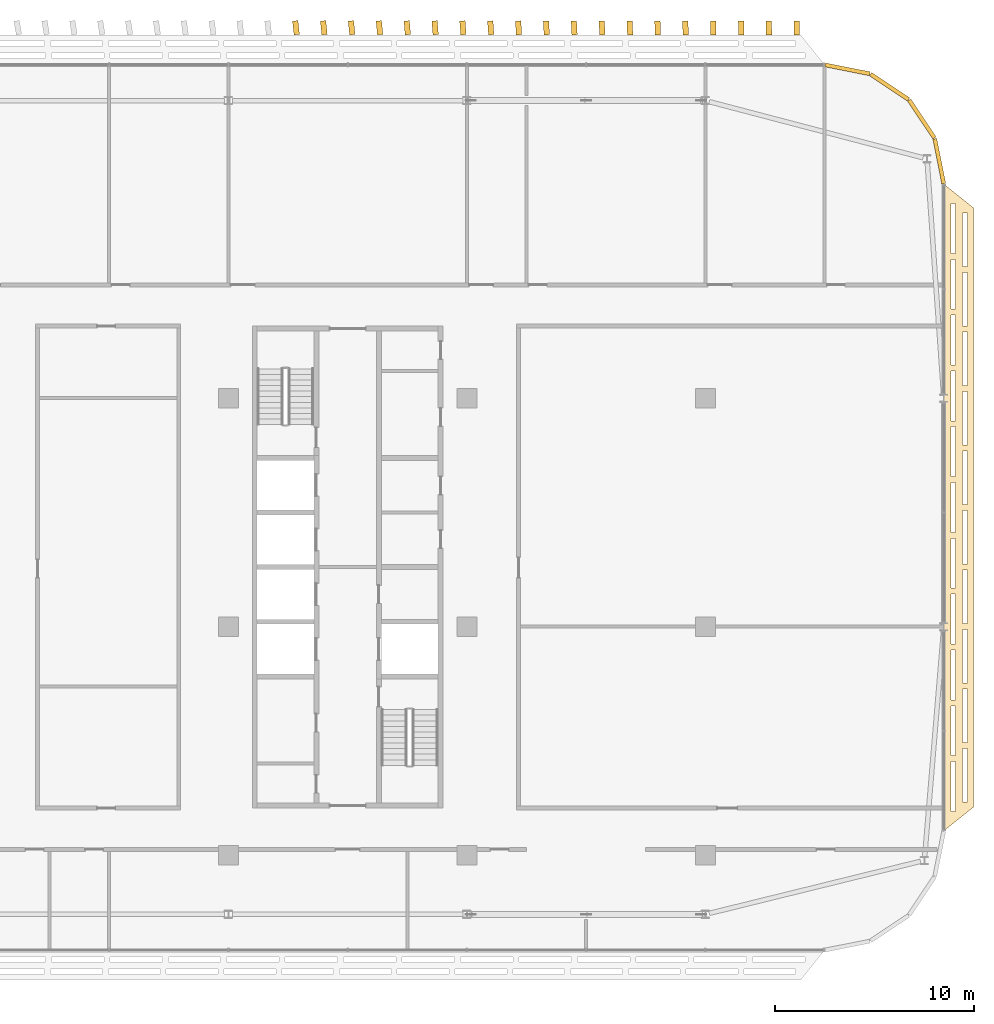
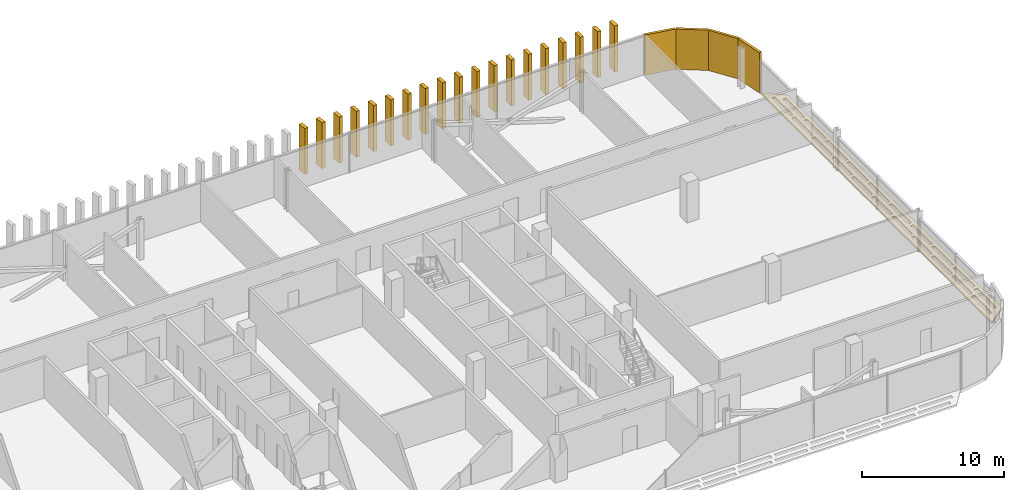
# One storey, part 32 of 32: 24 coverings.
"""IFC4 building model written with IfcOpenShell, lengths in metres."""

from ifc_helpers import new_model, si_unit, direction, frame, origin, origin_2d, place, context, subcontext, project, spatial, polyline, rectangle, outline, extrude, material, layer, layer_set, type_object, element, save


model = new_model("IFC4")

# Units and contexts
model_context = context("Model", 3, precision=1e-05, world=origin(), true_north=direction((0.0, 1.0)))
body_context = subcontext(model_context, "Body", "Model", "MODEL_VIEW")
ifc_project = project(units=[si_unit("LENGTHUNIT", "METRE"), si_unit("AREAUNIT", "SQUARE_METRE"), si_unit("VOLUMEUNIT", "CUBIC_METRE"), si_unit("PLANEANGLEUNIT", "RADIAN"), si_unit("MASSUNIT", "GRAM", prefix="KILO")], contexts=[model_context])

# Site, building, storey
site_placement = place(None, origin())
site = spatial("IfcSite", under=ifc_project, at=site_placement, CompositionType="ELEMENT")
building_placement = place(site_placement, origin())
building = spatial("IfcBuilding", under=site, at=building_placement, Name="Mahtab Terrace Research Tower", CompositionType="ELEMENT")
storey_placement = place(building_placement, frame((0.0, 0.0, 236.199951171875)))
storey = spatial("IfcBuildingStorey", under=building, at=storey_placement, Name="L57", CompositionType="ELEMENT", Elevation=236.199951171875)

# Coverings
ifc_material_1 = material(Name="Black aluminium cladding panel", Category="aluminium")
ifc_layer_1 = layer(ifc_material_1, 0.199951171875)
ifc_layer_set_1 = layer_set([ifc_layer_1], Name="Black metal corner cladding 200")
covering_type_1 = type_object("IfcCoveringType", Name="Black metal corner cladding 200", PredefinedType="CLADDING", material=ifc_layer_set_1)
for number, where, z_axis, x_axis, name in (
    (1, (52.89306640625, 25.547607421875, 0.0), (0.0, 0.0, 1.0), (-0.555291490808, 0.831655794326, 0.0), "Corner cladding L57 0"),
    (2, (51.26953125, 27.1708984375, 0.0), (0.0, 0.0, 1.0), (-0.831655794326, 0.555291490808, 0.0), "Corner cladding L57 1"),
    (3, (49.14794921875, 28.049560546875, 0.0), (0.0, 0.0, 1.0), (-0.980760981187, 0.195212442692, 0.0), "Corner cladding L57 2"),
    (4, (53.771484375, 23.426025390625, 0.0), (0.0, 0.0, 1.0), (-0.195212442692, 0.980760981187, 0.0), "Corner cladding L57 24"),
):
    element("IfcCovering", number, at=place(storey_placement, frame(where, z_axis=z_axis, x_axis=x_axis)), inside=storey, type_object=covering_type_1, Name=name, PredefinedType="CLADDING", context=body_context, shape_type="SweptSolid", body=[
        extrude(rectangle(XDim=2.30126953125, YDim=0.199951171875, at=origin_2d()), origin(), (0.0, 0.0, 1.0), 3.4599609375),
    ])
ifc_material_2 = material(Name="Black anodised aluminium", Category="aluminium")
ifc_layer_2 = layer(ifc_material_2, 0.14990234375)
ifc_layer_set_2 = layer_set([ifc_layer_2], Name="Horizontal sunshade band")
covering_type_2 = type_object("IfcCoveringType", Name="Horizontal sunshade band", PredefinedType="CLADDING", material=ifc_layer_set_2)
covering_placement = place(storey_placement, frame((0.0, 0.0, -0.14990234375)))
element("IfcCovering", 5, at=covering_placement, inside=storey, type_object=covering_type_2, Name="Sunshade band L57 21", PredefinedType="CLADDING", context=body_context, shape_type="SweptSolid", body=[
    extrude(outline(polyline([(54.0, -10.278076171875), (54.0, 22.278076171875), (55.5, 21.077880859375), (55.5, -9.077880859375), (54.0, -10.278076171875)]), holes=[polyline([(54.35009765625, -9.298095703125), (54.35009765625, -6.7890625), (54.60009765625, -6.7890625), (54.60009765625, -9.298095703125), (54.35009765625, -9.298095703125)]), polyline([(54.35009765625, -6.489013671875), (54.35009765625, -3.98095703125), (54.60009765625, -3.98095703125), (54.60009765625, -6.489013671875), (54.35009765625, -6.489013671875)]), polyline([(54.35009765625, -3.680908203125), (54.35009765625, -1.172119140625), (54.60009765625, -1.172119140625), (54.60009765625, -3.680908203125), (54.35009765625, -3.680908203125)]), polyline([(54.35009765625, -0.8720703125), (54.35009765625, 1.636962890625), (54.60009765625, 1.636962890625), (54.60009765625, -0.8720703125), (54.35009765625, -0.8720703125)]), polyline([(54.35009765625, 1.93701171875), (54.35009765625, 4.446044921875), (54.60009765625, 4.446044921875), (54.60009765625, 1.93701171875), (54.35009765625, 1.93701171875)]), polyline([(54.35009765625, 4.74609375), (54.35009765625, 7.25390625), (54.60009765625, 7.25390625), (54.60009765625, 4.74609375), (54.35009765625, 4.74609375)]), polyline([(54.35009765625, 7.553955078125), (54.35009765625, 10.06298828125), (54.60009765625, 10.06298828125), (54.60009765625, 7.553955078125), (54.35009765625, 7.553955078125)]), polyline([(54.35009765625, 10.363037109375), (54.35009765625, 12.8720703125), (54.60009765625, 12.8720703125), (54.60009765625, 10.363037109375), (54.35009765625, 10.363037109375)]), polyline([(54.35009765625, 13.172119140625), (54.35009765625, 15.680908203125), (54.60009765625, 15.680908203125), (54.60009765625, 13.172119140625), (54.35009765625, 13.172119140625)]), polyline([(54.35009765625, 15.98095703125), (54.35009765625, 18.489013671875), (54.60009765625, 18.489013671875), (54.60009765625, 15.98095703125), (54.35009765625, 15.98095703125)]), polyline([(54.35009765625, 18.7890625), (54.35009765625, 21.298095703125), (54.60009765625, 21.298095703125), (54.60009765625, 18.7890625), (54.35009765625, 18.7890625)]), polyline([(54.949951171875, -8.818115234375), (54.949951171875, -6.1240234375), (55.199951171875, -6.1240234375), (55.199951171875, -8.818115234375), (54.949951171875, -8.818115234375)]), polyline([(54.949951171875, -5.823974609375), (54.949951171875, -3.131103515625), (55.199951171875, -3.131103515625), (55.199951171875, -5.823974609375), (54.949951171875, -5.823974609375)]), polyline([(54.949951171875, -2.8310546875), (54.949951171875, -0.136962890625), (55.199951171875, -0.136962890625), (55.199951171875, -2.8310546875), (54.949951171875, -2.8310546875)]), polyline([(54.949951171875, 0.1630859375), (54.949951171875, 2.85595703125), (55.199951171875, 2.85595703125), (55.199951171875, 0.1630859375), (54.949951171875, 0.1630859375)]), polyline([(54.949951171875, 3.156005859375), (54.949951171875, 5.85009765625), (55.199951171875, 5.85009765625), (55.199951171875, 3.156005859375), (54.949951171875, 3.156005859375)]), polyline([(54.949951171875, 6.14990234375), (54.949951171875, 8.843994140625), (55.199951171875, 8.843994140625), (55.199951171875, 6.14990234375), (54.949951171875, 6.14990234375)]), polyline([(54.949951171875, 9.14404296875), (54.949951171875, 11.8369140625), (55.199951171875, 11.8369140625), (55.199951171875, 9.14404296875), (54.949951171875, 9.14404296875)]), polyline([(54.949951171875, 12.136962890625), (54.949951171875, 14.8310546875), (55.199951171875, 14.8310546875), (55.199951171875, 12.136962890625), (54.949951171875, 12.136962890625)]), polyline([(54.949951171875, 15.131103515625), (54.949951171875, 17.823974609375), (55.199951171875, 17.823974609375), (55.199951171875, 15.131103515625), (54.949951171875, 15.131103515625)]), polyline([(54.949951171875, 18.1240234375), (54.949951171875, 20.818115234375), (55.199951171875, 20.818115234375), (55.199951171875, 18.1240234375), (54.949951171875, 18.1240234375)])]), origin(), (0.0, 0.0, 1.0), 0.14990234375),
])
ifc_material_3 = material(Name="Bronze anodised aluminium", Category="aluminium")
ifc_layer_3 = layer(ifc_material_3, 0.1201171875)
ifc_layer_set_3 = layer_set([ifc_layer_3], Name="Vertical fin 700")
covering_type_3 = type_object("IfcCoveringType", Name="Vertical fin 700", PredefinedType="CLADDING", material=ifc_layer_set_3)
for number, where, z_axis, x_axis, name in (
    (6, (46.60009765625, 30.12890625, -0.14990234375), (0.0, 0.0, 1.0), (-0.999983076858, -0.005817731349, 0.0), "Fin L57 N1"),
    (7, (45.199951171875, 30.129638671875, -0.14990234375), (0.0, 0.0, 1.0), (-0.999932308004, -0.011635265807, 0.0), "Fin L57 N2"),
    (8, (43.800048828125, 30.13037109375, -0.14990234375), (0.0, 0.0, 1.0), (-0.999847695156, -0.017452406437, 0.0), "Fin L57 N3"),
    (9, (42.39990234375, 30.131103515625, -0.14990234375), (0.0, 0.0, 1.0), (-0.99972924118, -0.023268956368, 0.0), "Fin L57 N4"),
    (10, (41.0, 30.1318359375, -0.14990234375), (0.0, 0.0, 1.0), (-0.999576950082, -0.029084718749, 0.0), "Fin L57 N5"),
    (11, (39.60009765625, 30.132568359375, -0.14990234375), (0.0, 0.0, 1.0), (-0.999390827019, -0.034899496703, 0.0), "Fin L57 N6"),
    (12, (38.199951171875, 30.13330078125, -0.14990234375), (0.0, 0.0, 1.0), (-0.99917087829, -0.040713093438, 0.0), "Fin L57 N7"),
    (13, (36.800048828125, 30.134033203125, -0.14990234375), (0.0, 0.0, 1.0), (-0.998917111338, -0.046525312204, 0.0), "Fin L57 N8"),
    (14, (35.39990234375, 30.134765625, -0.14990234375), (0.0, 0.0, 1.0), (-0.998629534755, -0.052335956243, 0.0), "Fin L57 N9"),
    (15, (34.0, 30.135498046875, -0.14990234375), (0.0, 0.0, 1.0), (-0.998308158272, -0.058144828905, 0.0), "Fin L57 N10"),
    (16, (32.60009765625, 30.13623046875, -0.14990234375), (0.0, 0.0, 1.0), (-0.997952992766, -0.063951733597, 0.0), "Fin L57 N11"),
    (17, (31.199951171875, 30.136962890625, -0.14990234375), (0.0, 0.0, 1.0), (-0.99756405026, -0.069756473744, 0.0), "Fin L57 N12"),
    (18, (29.800048828125, 30.1376953125, -0.14990234375), (0.0, 0.0, 1.0), (-0.997141343917, -0.075558852893, 0.0), "Fin L57 N13"),
    (19, (28.39990234375, 30.13818359375, -0.14990234375), (0.0, 0.0, 1.0), (-0.996684888044, -0.081358674674, 0.0), "Fin L57 N14"),
    (20, (27.0, 30.138916015625, -0.14990234375), (0.0, 0.0, 1.0), (-0.996194698092, -0.087155742748, 0.0), "Fin L57 N15"),
    (21, (25.60009765625, 30.139404296875, -0.14990234375), (0.0, 0.0, 1.0), (-0.99567079065, -0.092949860924, 0.0), "Fin L57 N16"),
    (22, (24.199951171875, 30.14013671875, -0.14990234375), (0.0, 0.0, 1.0), (-0.99511318345, -0.098740833109, 0.0), "Fin L57 N17"),
    (23, (22.800048828125, 30.140625, -0.14990234375), (0.0, 0.0, 1.0), (-0.994521895368, -0.104528463268, 0.0), "Fin L57 N18"),
    (24, (21.39990234375, 30.141357421875, -0.14990234375), (0.0, 0.0, 1.0), (-0.993896946415, -0.110312555526, 0.0), "Fin L57 N19"),
):
    element("IfcCovering", number, at=place(storey_placement, frame(where, z_axis=z_axis, x_axis=x_axis)), inside=storey, type_object=covering_type_3, Name=name, PredefinedType="CLADDING", context=body_context, shape_type="SweptSolid", body=[
        extrude(rectangle(XDim=0.280029296875, YDim=0.699951171875, at=origin_2d()), origin(), (0.0, 0.0, 1.0), 3.949951171875),
    ])

save(model, "model.ifc")
